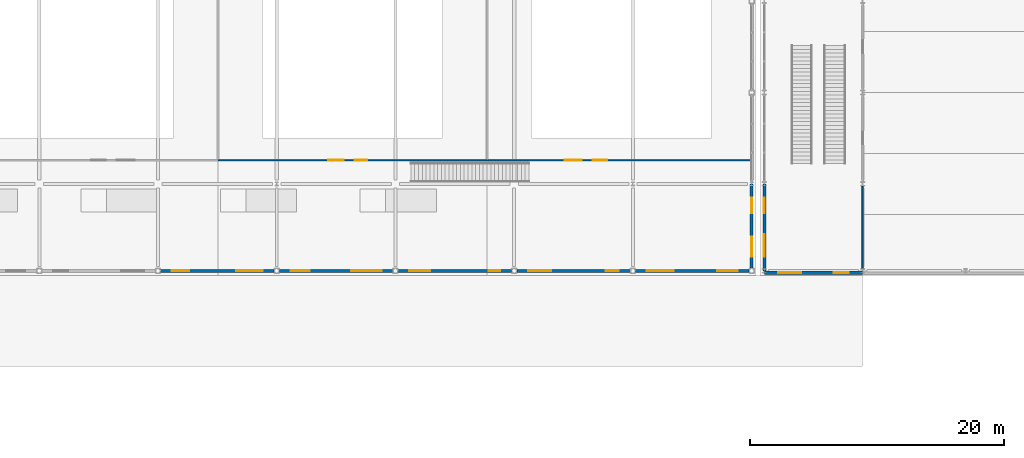
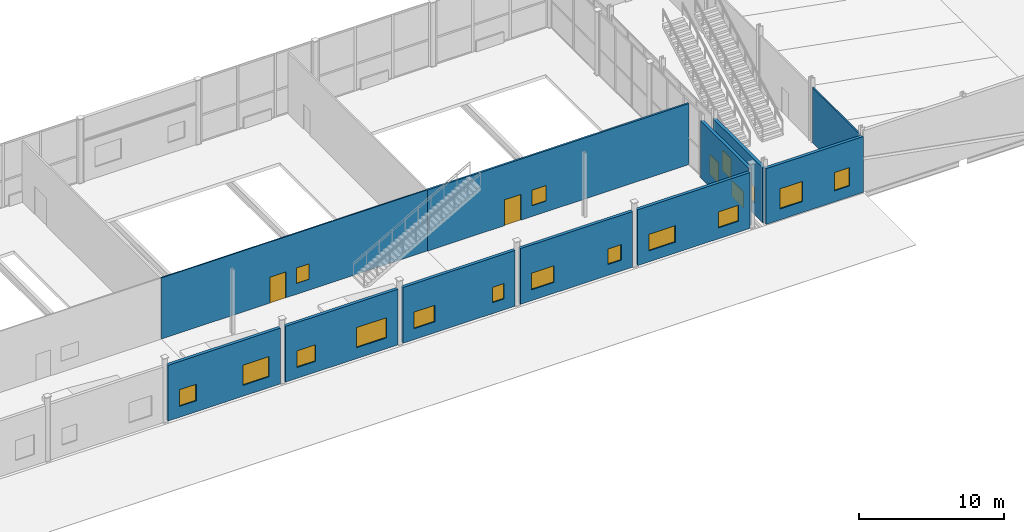
# One storey, part 69 of 83: 18 windows, 11 walls, 2 doors, 20 openings.
"""IFC4 building model written with IfcOpenShell, lengths in metres."""

from ifc_helpers import new_model, si_unit, direction, frame, frame_2d, origin, place, context, subcontext, project, spatial, rectangle, extrude, material, layer, layer_set, type_object, element, fill, save


model = new_model("IFC4")

# Units and contexts
model_context = context("Model", 3, precision=1e-05, world=origin(), true_north=direction((0.0, 1.0)))
body_context = subcontext(model_context, "Body", "Model", "MODEL_VIEW")
ifc_project = project(units=[si_unit("LENGTHUNIT", "METRE"), si_unit("AREAUNIT", "SQUARE_METRE"), si_unit("VOLUMEUNIT", "CUBIC_METRE"), si_unit("PLANEANGLEUNIT", "RADIAN"), si_unit("MASSUNIT", "GRAM", prefix="KILO")], contexts=[model_context])

# Site, building, storey
site_placement = place(None, origin())
site = spatial("IfcSite", under=ifc_project, at=site_placement, CompositionType="ELEMENT")
building_placement = place(site_placement, origin())
building = spatial("IfcBuilding", under=site, at=building_placement, Name="Quillay Park Conservatory", CompositionType="ELEMENT")
storey_placement = place(building_placement, origin())
storey = spatial("IfcBuildingStorey", under=building, at=storey_placement, Name="L00", CompositionType="ELEMENT", Elevation=0.0)

# Wall, openings, window, door
ifc_material_1 = material(Name="Steel-Stud Acoustic Gypsum Board Partition", Category="steel")
ifc_layer_1 = layer(ifc_material_1, 0.10009765625)
ifc_layer_set_1 = layer_set([ifc_layer_1], Name="ACOUSTIC GYPSUM PARTITION 100 (Steel-Stud Acoustic Gypsum Board Partition)")
wall_type_1 = type_object("IfcWallType", Name="ACOUSTIC GYPSUM PARTITION 100", PredefinedType="PARTITIONING", material=ifc_layer_set_1)
wall_1_placement = place(storey_placement, frame((72.800048828125, 94.260009765625, 0.0), z_axis=(0.0, 0.0, 1.0), x_axis=(1.0, 0.0, 0.0)))
wall_1 = element("IfcWall", 1, at=wall_1_placement, inside=storey, type_object=wall_type_1, Name="L00 Atacama Arid Biome Conservatory Promenade Wall", PredefinedType="PARTITIONING", context=body_context, shape_type="SweptSolid", body=[
    extrude(rectangle(XDim=21.199951171875, YDim=0.10009765625, at=frame_2d((10.60009765625, 0.0))), origin(), (0.0, 0.0, 1.0), 5.14990234375),
])
opening_1_placement = place(wall_1_placement, frame((8.679931640625, 0.0, 0.0)))
opening_1 = element("IfcOpeningElement", 2, at=opening_1_placement, cuts=wall_1, Name="Opening D-RM35", PredefinedType="OPENING", context=body_context, shape_type="SweptSolid", body=[
    extrude(rectangle(XDim=1.239990234375, YDim=2.179931640625, at=frame_2d((0.6201171875, 1.08984375))), frame((0.0, 0.050048828125, 0.0), z_axis=(0.0, -1.0, 0.0), x_axis=(1.0, 0.0, 0.0)), (0.0, 0.0, 1.0), 0.10009765625),
])
opening_2_placement = place(wall_1_placement, frame((10.77001953125, 0.0, 0.919921875)))
opening_2 = element("IfcOpeningElement", 3, at=opening_2_placement, cuts=wall_1, Name="Opening W-IN09", PredefinedType="OPENING", context=body_context, shape_type="SweptSolid", body=[
    extrude(rectangle(XDim=1.0, YDim=1.300048828125, at=frame_2d((0.5, 0.64990234375))), frame((0.0, 0.050048828125, 0.0), z_axis=(0.0, -1.0, 0.0), x_axis=(1.0, 0.0, 0.0)), (0.0, 0.0, 1.0), 0.10009765625),
])
ifc_material_2 = material(Name="Low-E Double Glazing (Laminated Tempered)", Category="glass")
window_type_1 = type_object("IfcWindowType", Name="OPERABLE VENT WINDOW 1000 X1300", PartitioningType="SINGLE_PANEL", PredefinedType="WINDOW", material=ifc_material_2)
window_1_placement = place(opening_2_placement, origin())
window_1 = element("IfcWindow", 4, at=window_1_placement, inside=storey, type_object=window_type_1, Name="L00 Laboratory Vision Panel 009", OverallHeight=1.300048828125, OverallWidth=1.0, PartitioningType="SINGLE_PANEL", PredefinedType="WINDOW", context=body_context, shape_type="SweptSolid", body=[
    extrude(rectangle(XDim=1.0, YDim=1.300048828125, at=frame_2d((0.5, 0.64990234375))), frame((0.0, 0.030029296875, 0.0), z_axis=(0.0, -1.0, 0.0), x_axis=(1.0, 0.0, 0.0)), (0.0, 0.0, 1.0), 0.06005859375),
])
fill(opening_2, window_1)
ifc_material_3 = material(Name="Thermally Broken Anodised Aluminium 6063-T6", Category="aluminium")
door_type_1 = type_object("IfcDoorType", Name="SINGLE SWING DOOR 1240 X2180", OperationType="NOTDEFINED", PredefinedType="DOOR", material=ifc_material_3)
door_1_placement = place(opening_1_placement, origin())
door_1 = element("IfcDoor", 5, at=door_1_placement, inside=storey, type_object=door_type_1, Name="L00 Door to Atacama Arid Biome Conservatory", OperationType="SINGLE_SWING_LEFT", OverallHeight=2.179931640625, OverallWidth=1.239990234375, PredefinedType="DOOR", context=body_context, shape_type="SweptSolid", body=[
    extrude(rectangle(XDim=1.239990234375, YDim=2.179931640625, at=frame_2d((0.6201171875, 1.08984375))), frame((0.0, 0.02490234375, 0.0), z_axis=(0.0, -1.0, 0.0), x_axis=(1.0, 0.0, 0.0)), (0.0, 0.0, 1.0), 0.050048828125),
])
fill(opening_1, door_1)

# Wall
ifc_material_4 = material(Name="Steel-Stud Acoustic Gypsum Board Partition", Category="steel")
ifc_layer_2 = layer(ifc_material_4, 0.114990234375)
ifc_layer_set_2 = layer_set([ifc_layer_2], Name="ACOUSTIC GYPSUM PARTITION 115 (Steel-Stud Acoustic Gypsum Board Partition)")
wall_type_2 = type_object("IfcWallType", Name="ACOUSTIC GYPSUM PARTITION 115", PredefinedType="PARTITIONING", material=ifc_layer_set_2)
wall_2_placement = place(storey_placement, frame((123.60009765625, 85.70654296875, 0.0), z_axis=(0.0, 0.0, 1.0), x_axis=(0.0, 1.0, 0.0)))
element("IfcWall", 6, at=wall_2_placement, inside=storey, type_object=wall_type_2, Name="L00 Auditorium Foyer Wall 85", PredefinedType="PARTITIONING", context=body_context, shape_type="SweptSolid", body=[
    extrude(rectangle(XDim=6.536865234375, YDim=0.114990234375, at=frame_2d((3.2685546875, 0.0))), origin(), (0.0, 0.0, 1.0), 4.64111328125),
])

# Wall, openings, window, door
ifc_material_5 = material(Name="Steel-Stud Acoustic Gypsum Board Partition", Category="steel")
ifc_layer_3 = layer(ifc_material_5, 0.14990234375)
ifc_layer_set_3 = layer_set([ifc_layer_3], Name="ACOUSTIC GYPSUM PARTITION 150 (Steel-Stud Acoustic Gypsum Board Partition)")
wall_type_3 = type_object("IfcWallType", Name="ACOUSTIC GYPSUM PARTITION 150", PredefinedType="PARTITIONING", material=ifc_layer_set_3)
wall_3_placement = place(storey_placement, frame((94.0, 94.260009765625, 0.0), z_axis=(0.0, 0.0, 1.0), x_axis=(1.0, 0.0, 0.0)))
wall_3 = element("IfcWall", 7, at=wall_3_placement, inside=storey, type_object=wall_type_3, Name="L00 High-Andean Alpine Glasshouse Promenade Wall", PredefinedType="PARTITIONING", context=body_context, shape_type="SweptSolid", body=[
    extrude(rectangle(XDim=20.85009765625, YDim=0.14990234375, at=frame_2d((10.425048828125, 0.0))), origin(), (0.0, 0.0, 1.0), 5.14990234375),
])
opening_3_placement = place(wall_3_placement, frame((6.139892578125, 0.0, 0.0)))
opening_3 = element("IfcOpeningElement", 8, at=opening_3_placement, cuts=wall_3, Name="Opening D-RM36", PredefinedType="OPENING", context=body_context, shape_type="SweptSolid", body=[
    extrude(rectangle(XDim=1.320068359375, YDim=2.179931640625, at=frame_2d((0.66015625, 1.08984375))), frame((0.0, 0.074951171875, 0.0), z_axis=(0.0, -1.0, 0.0), x_axis=(1.0, 0.0, 0.0)), (0.0, 0.0, 1.0), 0.14990234375),
])
opening_4_placement = place(wall_3_placement, frame((8.31005859375, 0.0, 0.919921875)))
opening_4 = element("IfcOpeningElement", 9, at=opening_4_placement, cuts=wall_3, Name="Opening W-IN10", PredefinedType="OPENING", context=body_context, shape_type="SweptSolid", body=[
    extrude(rectangle(XDim=1.14990234375, YDim=1.300048828125, at=frame_2d((0.574951171875, 0.64990234375))), frame((0.0, 0.074951171875, 0.0), z_axis=(0.0, -1.0, 0.0), x_axis=(1.0, 0.0, 0.0)), (0.0, 0.0, 1.0), 0.14990234375),
])
ifc_material_6 = material(Name="Low-E Double Glazing (Laminated Tempered)", Category="glass")
window_type_2 = type_object("IfcWindowType", Name="OPERABLE VENT WINDOW 1150 X1300", PartitioningType="SINGLE_PANEL", PredefinedType="WINDOW", material=ifc_material_6)
window_2_placement = place(opening_4_placement, origin())
window_2 = element("IfcWindow", 10, at=window_2_placement, inside=storey, type_object=window_type_2, Name="L00 Laboratory Vision Panel 010", OverallHeight=1.300048828125, OverallWidth=1.14990234375, PartitioningType="SINGLE_PANEL", PredefinedType="WINDOW", context=body_context, shape_type="SweptSolid", body=[
    extrude(rectangle(XDim=1.14990234375, YDim=1.300048828125, at=frame_2d((0.574951171875, 0.64990234375))), frame((0.0, 0.030029296875, 0.0), z_axis=(0.0, -1.0, 0.0), x_axis=(1.0, 0.0, 0.0)), (0.0, 0.0, 1.0), 0.06005859375),
])
fill(opening_4, window_2)
ifc_material_7 = material(Name="Thermally Broken Anodised Aluminium 6063-T6", Category="aluminium")
door_type_2 = type_object("IfcDoorType", Name="SINGLE SWING DOOR 1320 X2180", OperationType="NOTDEFINED", PredefinedType="DOOR", material=ifc_material_7)
door_2_placement = place(opening_3_placement, origin())
door_2 = element("IfcDoor", 11, at=door_2_placement, inside=storey, type_object=door_type_2, Name="L00 Door to High-Andean Alpine Glasshouse", OperationType="SINGLE_SWING_RIGHT", OverallHeight=2.179931640625, OverallWidth=1.320068359375, PredefinedType="DOOR", context=body_context, shape_type="SweptSolid", body=[
    extrude(rectangle(XDim=1.320068359375, YDim=2.179931640625, at=frame_2d((0.66015625, 1.08984375))), frame((0.0, 0.02490234375, 0.0), z_axis=(0.0, -1.0, 0.0), x_axis=(1.0, 0.0, 0.0)), (0.0, 0.0, 1.0), 0.050048828125),
])
fill(opening_3, door_2)

# Wall, openings, windows
ifc_material_8 = material(Name="Glass-Fibre Reinforced Concrete (GRC) Cladding", Category="concrete")
ifc_layer_4 = layer(ifc_material_8, 0.239990234375)
ifc_layer_set_4 = layer_set([ifc_layer_4], Name="EXTERIOR SOLID WALL 240 (Glass-Fibre Reinforced Concrete (GRC) Cladding)")
wall_type_4 = type_object("IfcWallType", Name="EXTERIOR SOLID WALL 240", PredefinedType="SOLIDWALL", material=ifc_layer_set_4)
wall_4_placement = place(storey_placement, frame((77.2265625, 85.550048828125, 0.0), z_axis=(0.0, 0.0, 1.0), x_axis=(-1.0, 0.0, 0.0)))
wall_4 = element("IfcWall", 12, at=wall_4_placement, inside=storey, type_object=wall_type_4, Name="L00 External Wall WL-EXT-V1S-L00-4", PredefinedType="SOLIDWALL", context=body_context, shape_type="SweptSolid", body=[
    extrude(rectangle(XDim=8.953125, YDim=0.239990234375, at=frame_2d((4.4765625, 0.0))), origin(), (0.0, 0.0, 1.0), 4.699951171875),
])
opening_5_placement = place(wall_4_placement, frame((0.898681640625, 0.0, 0.919921875)))
opening_5 = element("IfcOpeningElement", 13, at=opening_5_placement, cuts=wall_4, Name="Opening W-15", PredefinedType="OPENING", context=body_context, shape_type="SweptSolid", body=[
    extrude(rectangle(XDim=2.10009765625, YDim=1.699951171875, at=frame_2d((1.050048828125, 0.85009765625))), frame((0.0, 0.1201171875, 0.0), z_axis=(0.0, -1.0, 0.0), x_axis=(1.0, 0.0, 0.0)), (0.0, 0.0, 1.0), 0.239990234375),
])
opening_6_placement = place(wall_4_placement, frame((6.704345703125, 0.0, 0.919921875)))
opening_6 = element("IfcOpeningElement", 14, at=opening_6_placement, cuts=wall_4, Name="Opening W-02", PredefinedType="OPENING", context=body_context, shape_type="SweptSolid", body=[
    extrude(rectangle(XDim=1.35009765625, YDim=1.39990234375, at=frame_2d((0.675048828125, 0.699951171875))), frame((0.0, 0.1201171875, 0.0), z_axis=(0.0, -1.0, 0.0), x_axis=(1.0, 0.0, 0.0)), (0.0, 0.0, 1.0), 0.239990234375),
])
ifc_material_9 = material(Name="Low-E Double Glazing (Laminated Tempered)", Category="glass")
window_type_3 = type_object("IfcWindowType", Name="FIXED CASEMENT WINDOW 1350 X1400", PartitioningType="SINGLE_PANEL", PredefinedType="WINDOW", material=ifc_material_9)
window_3_placement = place(opening_6_placement, origin())
window_3 = element("IfcWindow", 15, at=window_3_placement, inside=storey, type_object=window_type_3, Name="L00 Exterior Window 0344", OverallHeight=1.39990234375, OverallWidth=1.35009765625, PartitioningType="SINGLE_PANEL", PredefinedType="WINDOW", context=body_context, shape_type="SweptSolid", body=[
    extrude(rectangle(XDim=1.35009765625, YDim=1.39990234375, at=frame_2d((0.675048828125, 0.699951171875))), frame((0.0, 0.030029296875, 0.0), z_axis=(0.0, -1.0, 0.0), x_axis=(1.0, 0.0, 0.0)), (0.0, 0.0, 1.0), 0.06005859375),
])
fill(opening_6, window_3)
ifc_material_10 = material(Name="Low-E Double Glazing (Laminated Tempered)", Category="glass")
window_type_4 = type_object("IfcWindowType", Name="FIXED CASEMENT WINDOW 2100 X1700", PartitioningType="DOUBLE_PANEL_VERTICAL", PredefinedType="WINDOW", material=ifc_material_10)
window_4_placement = place(opening_5_placement, origin())
window_4 = element("IfcWindow", 16, at=window_4_placement, inside=storey, type_object=window_type_4, Name="L00 Exterior Window 0343", OverallHeight=1.699951171875, OverallWidth=2.10009765625, PartitioningType="DOUBLE_PANEL_VERTICAL", PredefinedType="WINDOW", context=body_context, shape_type="SweptSolid", body=[
    extrude(rectangle(XDim=2.10009765625, YDim=1.699951171875, at=frame_2d((1.050048828125, 0.85009765625))), frame((0.0, 0.030029296875, 0.0), z_axis=(0.0, -1.0, 0.0), x_axis=(1.0, 0.0, 0.0)), (0.0, 0.0, 1.0), 0.06005859375),
])
fill(opening_5, window_4)

wall_5_placement = place(storey_placement, frame((86.58203125, 85.550048828125, 0.0), z_axis=(0.0, 0.0, 1.0), x_axis=(-1.0, 0.0, 0.0)))
wall_5 = element("IfcWall", 17, at=wall_5_placement, inside=storey, type_object=wall_type_4, Name="L00 External Wall WL-EXT-V1S-L00-5", PredefinedType="SOLIDWALL", context=body_context, shape_type="SweptSolid", body=[
    extrude(rectangle(XDim=8.953125, YDim=0.239990234375, at=frame_2d((4.4765625, 0.0))), origin(), (0.0, 0.0, 1.0), 4.699951171875),
])
opening_7_placement = place(wall_5_placement, frame((0.898681640625, 0.0, 0.919921875)))
opening_7 = element("IfcOpeningElement", 18, at=opening_7_placement, cuts=wall_5, Name="Opening W-16", PredefinedType="OPENING", context=body_context, shape_type="SweptSolid", body=[
    extrude(rectangle(XDim=2.39990234375, YDim=1.699951171875, at=frame_2d((1.199951171875, 0.85009765625))), frame((0.0, 0.1201171875, 0.0), z_axis=(0.0, -1.0, 0.0), x_axis=(1.0, 0.0, 0.0)), (0.0, 0.0, 1.0), 0.239990234375),
])
opening_8_placement = place(wall_5_placement, frame((6.55419921875, 0.0, 0.919921875)))
opening_8 = element("IfcOpeningElement", 19, at=opening_8_placement, cuts=wall_5, Name="Opening W-03", PredefinedType="OPENING", context=body_context, shape_type="SweptSolid", body=[
    extrude(rectangle(XDim=1.5, YDim=1.39990234375, at=frame_2d((0.75, 0.699951171875))), frame((0.0, 0.1201171875, 0.0), z_axis=(0.0, -1.0, 0.0), x_axis=(1.0, 0.0, 0.0)), (0.0, 0.0, 1.0), 0.239990234375),
])
ifc_material_11 = material(Name="Low-E Double Glazing (Laminated Tempered)", Category="glass")
window_type_5 = type_object("IfcWindowType", Name="FIXED CASEMENT WINDOW 1500 X1400", PartitioningType="SINGLE_PANEL", PredefinedType="WINDOW", material=ifc_material_11)
window_5_placement = place(opening_8_placement, origin())
window_5 = element("IfcWindow", 20, at=window_5_placement, inside=storey, type_object=window_type_5, Name="L00 Exterior Window 0346", OverallHeight=1.39990234375, OverallWidth=1.5, PartitioningType="SINGLE_PANEL", PredefinedType="WINDOW", context=body_context, shape_type="SweptSolid", body=[
    extrude(rectangle(XDim=1.5, YDim=1.39990234375, at=frame_2d((0.75, 0.699951171875))), frame((0.0, 0.030029296875, 0.0), z_axis=(0.0, -1.0, 0.0), x_axis=(1.0, 0.0, 0.0)), (0.0, 0.0, 1.0), 0.06005859375),
])
fill(opening_8, window_5)
ifc_material_12 = material(Name="Low-E Double Glazing (Laminated Tempered)", Category="glass")
window_type_6 = type_object("IfcWindowType", Name="FIXED CASEMENT WINDOW 2400 X1700", PartitioningType="DOUBLE_PANEL_VERTICAL", PredefinedType="WINDOW", material=ifc_material_12)
window_6_placement = place(opening_7_placement, origin())
window_6 = element("IfcWindow", 21, at=window_6_placement, inside=storey, type_object=window_type_6, Name="L00 Exterior Window 0345", OverallHeight=1.699951171875, OverallWidth=2.39990234375, PartitioningType="DOUBLE_PANEL_VERTICAL", PredefinedType="WINDOW", context=body_context, shape_type="SweptSolid", body=[
    extrude(rectangle(XDim=2.39990234375, YDim=1.699951171875, at=frame_2d((1.199951171875, 0.85009765625))), frame((0.0, 0.030029296875, 0.0), z_axis=(0.0, -1.0, 0.0), x_axis=(1.0, 0.0, 0.0)), (0.0, 0.0, 1.0), 0.06005859375),
])
fill(opening_7, window_6)

wall_6_placement = place(storey_placement, frame((95.937744140625, 85.550048828125, 0.0), z_axis=(0.0, 0.0, 1.0), x_axis=(-1.0, 0.0, 0.0)))
wall_6 = element("IfcWall", 22, at=wall_6_placement, inside=storey, type_object=wall_type_4, Name="L00 External Wall WL-EXT-V1S-L00-6", PredefinedType="SOLIDWALL", context=body_context, shape_type="SweptSolid", body=[
    extrude(rectangle(XDim=8.953125, YDim=0.239990234375, at=frame_2d((4.4765625, 0.0))), origin(), (0.0, 0.0, 1.0), 4.699951171875),
])
opening_9_placement = place(wall_6_placement, frame((0.898681640625, 0.0, 0.919921875)))
opening_9 = element("IfcOpeningElement", 23, at=opening_9_placement, cuts=wall_6, Name="Opening W-17", PredefinedType="OPENING", context=body_context, shape_type="SweptSolid", body=[
    extrude(rectangle(XDim=0.89990234375, YDim=1.300048828125, at=frame_2d((0.449951171875, 0.64990234375))), frame((0.0, 0.1201171875, 0.0), z_axis=(0.0, -1.0, 0.0), x_axis=(1.0, 0.0, 0.0)), (0.0, 0.0, 1.0), 0.239990234375),
])
opening_10_placement = place(wall_6_placement, frame((6.404296875, 0.0, 0.919921875)))
opening_10 = element("IfcOpeningElement", 24, at=opening_10_placement, cuts=wall_6, Name="Opening W-04", PredefinedType="OPENING", context=body_context, shape_type="SweptSolid", body=[
    extrude(rectangle(XDim=1.64990234375, YDim=1.39990234375, at=frame_2d((0.824951171875, 0.699951171875))), frame((0.0, 0.1201171875, 0.0), z_axis=(0.0, -1.0, 0.0), x_axis=(1.0, 0.0, 0.0)), (0.0, 0.0, 1.0), 0.239990234375),
])
ifc_material_13 = material(Name="Low-E Double Glazing (Laminated Tempered)", Category="glass")
window_type_7 = type_object("IfcWindowType", Name="FIXED CASEMENT WINDOW 1650 X1400", PartitioningType="DOUBLE_PANEL_VERTICAL", PredefinedType="WINDOW", material=ifc_material_13)
window_7_placement = place(opening_10_placement, origin())
window_7 = element("IfcWindow", 25, at=window_7_placement, inside=storey, type_object=window_type_7, Name="L00 Exterior Window 0348", OverallHeight=1.39990234375, OverallWidth=1.64990234375, PartitioningType="DOUBLE_PANEL_VERTICAL", PredefinedType="WINDOW", context=body_context, shape_type="SweptSolid", body=[
    extrude(rectangle(XDim=1.64990234375, YDim=1.39990234375, at=frame_2d((0.824951171875, 0.699951171875))), frame((0.0, 0.030029296875, 0.0), z_axis=(0.0, -1.0, 0.0), x_axis=(1.0, 0.0, 0.0)), (0.0, 0.0, 1.0), 0.06005859375),
])
fill(opening_10, window_7)
ifc_material_14 = material(Name="Low-E Double Glazing (Laminated Tempered)", Category="glass")
window_type_8 = type_object("IfcWindowType", Name="FIXED CASEMENT WINDOW 900 X1300", PartitioningType="SINGLE_PANEL", PredefinedType="WINDOW", material=ifc_material_14)
window_8_placement = place(opening_9_placement, origin())
window_8 = element("IfcWindow", 26, at=window_8_placement, inside=storey, type_object=window_type_8, Name="L00 Exterior Window 0347", OverallHeight=1.300048828125, OverallWidth=0.89990234375, PartitioningType="SINGLE_PANEL", PredefinedType="WINDOW", context=body_context, shape_type="SweptSolid", body=[
    extrude(rectangle(XDim=0.89990234375, YDim=1.300048828125, at=frame_2d((0.449951171875, 0.64990234375))), frame((0.0, 0.030029296875, 0.0), z_axis=(0.0, -1.0, 0.0), x_axis=(1.0, 0.0, 0.0)), (0.0, 0.0, 1.0), 0.06005859375),
])
fill(opening_9, window_8)

wall_7_placement = place(storey_placement, frame((105.293212890625, 85.550048828125, 0.0), z_axis=(0.0, 0.0, 1.0), x_axis=(-1.0, 0.0, 0.0)))
wall_7 = element("IfcWall", 27, at=wall_7_placement, inside=storey, type_object=wall_type_4, Name="L00 External Wall WL-EXT-V1S-L00-7", PredefinedType="SOLIDWALL", context=body_context, shape_type="SweptSolid", body=[
    extrude(rectangle(XDim=8.953125, YDim=0.239990234375, at=frame_2d((4.4765625, 0.0))), origin(), (0.0, 0.0, 1.0), 4.699951171875),
])
opening_11_placement = place(wall_7_placement, frame((0.898681640625, 0.0, 0.919921875)))
opening_11 = element("IfcOpeningElement", 28, at=opening_11_placement, cuts=wall_7, Name="Opening W-18", PredefinedType="OPENING", context=body_context, shape_type="SweptSolid", body=[
    extrude(rectangle(XDim=1.050048828125, YDim=1.300048828125, at=frame_2d((0.52490234375, 0.64990234375))), frame((0.0, 0.1201171875, 0.0), z_axis=(0.0, -1.0, 0.0), x_axis=(1.0, 0.0, 0.0)), (0.0, 0.0, 1.0), 0.239990234375),
])
opening_12_placement = place(wall_7_placement, frame((6.25439453125, 0.0, 0.919921875)))
opening_12 = element("IfcOpeningElement", 29, at=opening_12_placement, cuts=wall_7, Name="Opening W-05", PredefinedType="OPENING", context=body_context, shape_type="SweptSolid", body=[
    extrude(rectangle(XDim=1.800048828125, YDim=1.39990234375, at=frame_2d((0.89990234375, 0.699951171875))), frame((0.0, 0.1201171875, 0.0), z_axis=(0.0, -1.0, 0.0), x_axis=(1.0, 0.0, 0.0)), (0.0, 0.0, 1.0), 0.239990234375),
])
ifc_material_15 = material(Name="Low-E Double Glazing (Laminated Tempered)", Category="glass")
window_type_9 = type_object("IfcWindowType", Name="FIXED CASEMENT WINDOW 1050 X1300", PartitioningType="SINGLE_PANEL", PredefinedType="WINDOW", material=ifc_material_15)
window_9_placement = place(opening_11_placement, origin())
window_9 = element("IfcWindow", 30, at=window_9_placement, inside=storey, type_object=window_type_9, Name="L00 Exterior Window 0349", OverallHeight=1.300048828125, OverallWidth=1.050048828125, PartitioningType="SINGLE_PANEL", PredefinedType="WINDOW", context=body_context, shape_type="SweptSolid", body=[
    extrude(rectangle(XDim=1.050048828125, YDim=1.300048828125, at=frame_2d((0.52490234375, 0.64990234375))), frame((0.0, 0.030029296875, 0.0), z_axis=(0.0, -1.0, 0.0), x_axis=(1.0, 0.0, 0.0)), (0.0, 0.0, 1.0), 0.06005859375),
])
fill(opening_11, window_9)
ifc_material_16 = material(Name="Low-E Double Glazing (Laminated Tempered)", Category="glass")
window_type_10 = type_object("IfcWindowType", Name="FIXED CASEMENT WINDOW 1800 X1400", PartitioningType="DOUBLE_PANEL_VERTICAL", PredefinedType="WINDOW", material=ifc_material_16)
window_10_placement = place(opening_12_placement, origin())
window_10 = element("IfcWindow", 31, at=window_10_placement, inside=storey, type_object=window_type_10, Name="L00 Exterior Window 0350", OverallHeight=1.39990234375, OverallWidth=1.800048828125, PartitioningType="DOUBLE_PANEL_VERTICAL", PredefinedType="WINDOW", context=body_context, shape_type="SweptSolid", body=[
    extrude(rectangle(XDim=1.800048828125, YDim=1.39990234375, at=frame_2d((0.89990234375, 0.699951171875))), frame((0.0, 0.030029296875, 0.0), z_axis=(0.0, -1.0, 0.0), x_axis=(1.0, 0.0, 0.0)), (0.0, 0.0, 1.0), 0.06005859375),
])
fill(opening_12, window_10)

wall_8_placement = place(storey_placement, frame((114.648681640625, 85.550048828125, 0.0), z_axis=(0.0, 0.0, 1.0), x_axis=(-1.0, 0.0, 0.0)))
wall_8 = element("IfcWall", 32, at=wall_8_placement, inside=storey, type_object=wall_type_4, Name="L00 External Wall WL-EXT-V1S-L00-8", PredefinedType="SOLIDWALL", context=body_context, shape_type="SweptSolid", body=[
    extrude(rectangle(XDim=8.953125, YDim=0.239990234375, at=frame_2d((4.4765625, 0.0))), origin(), (0.0, 0.0, 1.0), 4.699951171875),
])
opening_13_placement = place(wall_8_placement, frame((0.898681640625, 0.0, 0.919921875)))
opening_13 = element("IfcOpeningElement", 33, at=opening_13_placement, cuts=wall_8, Name="Opening W-19", PredefinedType="OPENING", context=body_context, shape_type="SweptSolid", body=[
    extrude(rectangle(XDim=1.60009765625, YDim=1.35009765625, at=frame_2d((0.800048828125, 0.675048828125))), frame((0.0, 0.1201171875, 0.0), z_axis=(0.0, -1.0, 0.0), x_axis=(1.0, 0.0, 0.0)), (0.0, 0.0, 1.0), 0.239990234375),
])
opening_14_placement = place(wall_8_placement, frame((5.954345703125, 0.0, 0.919921875)))
opening_14 = element("IfcOpeningElement", 34, at=opening_14_placement, cuts=wall_8, Name="Opening W-06", PredefinedType="OPENING", context=body_context, shape_type="SweptSolid", body=[
    extrude(rectangle(XDim=2.10009765625, YDim=1.39990234375, at=frame_2d((1.050048828125, 0.699951171875))), frame((0.0, 0.1201171875, 0.0), z_axis=(0.0, -1.0, 0.0), x_axis=(1.0, 0.0, 0.0)), (0.0, 0.0, 1.0), 0.239990234375),
])
ifc_material_17 = material(Name="Low-E Double Glazing (Laminated Tempered)", Category="glass")
window_type_11 = type_object("IfcWindowType", Name="FIXED CASEMENT WINDOW 1600 X1350", PartitioningType="DOUBLE_PANEL_VERTICAL", PredefinedType="WINDOW", material=ifc_material_17)
window_11_placement = place(opening_13_placement, origin())
window_11 = element("IfcWindow", 35, at=window_11_placement, inside=storey, type_object=window_type_11, Name="L00 Exterior Window 0351", OverallHeight=1.35009765625, OverallWidth=1.60009765625, PartitioningType="DOUBLE_PANEL_VERTICAL", PredefinedType="WINDOW", context=body_context, shape_type="SweptSolid", body=[
    extrude(rectangle(XDim=1.60009765625, YDim=1.35009765625, at=frame_2d((0.800048828125, 0.675048828125))), frame((0.0, 0.030029296875, 0.0), z_axis=(0.0, -1.0, 0.0), x_axis=(1.0, 0.0, 0.0)), (0.0, 0.0, 1.0), 0.06005859375),
])
fill(opening_13, window_11)
ifc_material_18 = material(Name="Low-E Double Glazing (Laminated Tempered)", Category="glass")
window_type_12 = type_object("IfcWindowType", Name="FIXED CASEMENT WINDOW 2100 X1400", PartitioningType="DOUBLE_PANEL_VERTICAL", PredefinedType="WINDOW", material=ifc_material_18)
window_12_placement = place(opening_14_placement, origin())
window_12 = element("IfcWindow", 36, at=window_12_placement, inside=storey, type_object=window_type_12, Name="L00 Exterior Window 0352", OverallHeight=1.39990234375, OverallWidth=2.10009765625, PartitioningType="DOUBLE_PANEL_VERTICAL", PredefinedType="WINDOW", context=body_context, shape_type="SweptSolid", body=[
    extrude(rectangle(XDim=2.10009765625, YDim=1.39990234375, at=frame_2d((1.050048828125, 0.699951171875))), frame((0.0, 0.030029296875, 0.0), z_axis=(0.0, -1.0, 0.0), x_axis=(1.0, 0.0, 0.0)), (0.0, 0.0, 1.0), 0.06005859375),
])
fill(opening_14, window_12)

wall_9_placement = place(storey_placement, frame((114.85009765625, 92.39990234375, 0.0), z_axis=(0.0, 0.0, 1.0), x_axis=(0.0, -1.0, 0.0)))
wall_9 = element("IfcWall", 37, at=wall_9_placement, inside=storey, type_object=wall_type_4, Name="L00 External Wall WL-EXT-V1E-L00", PredefinedType="SOLIDWALL", context=body_context, shape_type="SweptSolid", body=[
    extrude(rectangle(XDim=6.648681640625, YDim=0.239990234375, at=frame_2d((3.32421875, 0.0))), origin(), (0.0, 0.0, 1.0), 4.822021484375),
])
opening_15_placement = place(wall_9_placement, frame((1.10009765625, 0.0, 0.919921875)))
opening_15 = element("IfcOpeningElement", 38, at=opening_15_placement, cuts=wall_9, Name="Opening W-12", PredefinedType="OPENING", context=body_context, shape_type="SweptSolid", body=[
    extrude(rectangle(XDim=1.199951171875, YDim=1.699951171875, at=frame_2d((0.60009765625, 0.85009765625))), frame((0.0, 0.1201171875, 0.0), z_axis=(0.0, -1.0, 0.0), x_axis=(1.0, 0.0, 0.0)), (0.0, 0.0, 1.0), 0.239990234375),
])
opening_16_placement = place(wall_9_placement, frame((4.14990234375, 0.0, 0.919921875)))
opening_16 = element("IfcOpeningElement", 39, at=opening_16_placement, cuts=wall_9, Name="Opening W-19", PredefinedType="OPENING", context=body_context, shape_type="SweptSolid", body=[
    extrude(rectangle(XDim=1.60009765625, YDim=1.35009765625, at=frame_2d((0.800048828125, 0.675048828125))), frame((0.0, 0.1201171875, 0.0), z_axis=(0.0, -1.0, 0.0), x_axis=(1.0, 0.0, 0.0)), (0.0, 0.0, 1.0), 0.239990234375),
])
ifc_material_19 = material(Name="Low-E Double Glazing (Laminated Tempered)", Category="glass")
window_type_13 = type_object("IfcWindowType", Name="FIXED CASEMENT WINDOW 1200 X1700", PartitioningType="SINGLE_PANEL", PredefinedType="WINDOW", material=ifc_material_19)
window_13_placement = place(opening_15_placement, origin())
window_13 = element("IfcWindow", 40, at=window_13_placement, inside=storey, type_object=window_type_13, Name="L00 Exterior Window 0373", OverallHeight=1.699951171875, OverallWidth=1.199951171875, PartitioningType="SINGLE_PANEL", PredefinedType="WINDOW", context=body_context, shape_type="SweptSolid", body=[
    extrude(rectangle(XDim=1.199951171875, YDim=1.699951171875, at=frame_2d((0.60009765625, 0.85009765625))), frame((0.0, 0.030029296875, 0.0), z_axis=(0.0, -1.0, 0.0), x_axis=(1.0, 0.0, 0.0)), (0.0, 0.0, 1.0), 0.06005859375),
])
fill(opening_15, window_13)
window_14_placement = place(opening_16_placement, origin())
window_14 = element("IfcWindow", 41, at=window_14_placement, inside=storey, type_object=window_type_11, Name="L00 Exterior Window 0374", OverallHeight=1.35009765625, OverallWidth=1.60009765625, PartitioningType="DOUBLE_PANEL_VERTICAL", PredefinedType="WINDOW", context=body_context, shape_type="SweptSolid", body=[
    extrude(rectangle(XDim=1.60009765625, YDim=1.35009765625, at=frame_2d((0.800048828125, 0.675048828125))), frame((0.0, 0.030029296875, 0.0), z_axis=(0.0, -1.0, 0.0), x_axis=(1.0, 0.0, 0.0)), (0.0, 0.0, 1.0), 0.06005859375),
])
fill(opening_16, window_14)

wall_10_placement = place(storey_placement, frame((115.85009765625, 85.550048828125, 0.0), z_axis=(0.0, 0.0, 1.0), x_axis=(0.0, 1.0, 0.0)))
wall_10 = element("IfcWall", 42, at=wall_10_placement, inside=storey, type_object=wall_type_4, Name="L00 External Wall WL-EXT-V2W-L00", PredefinedType="SOLIDWALL", context=body_context, shape_type="SweptSolid", body=[
    extrude(rectangle(XDim=6.849853515625, YDim=0.239990234375, at=frame_2d((3.4248046875, 0.0))), origin(), (0.0, 0.0, 1.0), 4.64111328125),
])
opening_17_placement = place(wall_10_placement, frame((1.10009765625, 0.0, 0.919921875)))
opening_17 = element("IfcOpeningElement", 43, at=opening_17_placement, cuts=wall_10, Name="Opening W-05", PredefinedType="OPENING", context=body_context, shape_type="SweptSolid", body=[
    extrude(rectangle(XDim=1.800048828125, YDim=1.39990234375, at=frame_2d((0.89990234375, 0.699951171875))), frame((0.0, 0.1201171875, 0.0), z_axis=(0.0, -1.0, 0.0), x_axis=(1.0, 0.0, 0.0)), (0.0, 0.0, 1.0), 0.239990234375),
])
opening_18_placement = place(wall_10_placement, frame((4.550048828125, 0.0, 0.919921875)))
opening_18 = element("IfcOpeningElement", 44, at=opening_18_placement, cuts=wall_10, Name="Opening W-12", PredefinedType="OPENING", context=body_context, shape_type="SweptSolid", body=[
    extrude(rectangle(XDim=1.199951171875, YDim=1.699951171875, at=frame_2d((0.60009765625, 0.85009765625))), frame((0.0, 0.1201171875, 0.0), z_axis=(0.0, -1.0, 0.0), x_axis=(1.0, 0.0, 0.0)), (0.0, 0.0, 1.0), 0.239990234375),
])
window_15_placement = place(opening_18_placement, origin())
window_15 = element("IfcWindow", 45, at=window_15_placement, inside=storey, type_object=window_type_13, Name="L00 Exterior Window 0376", OverallHeight=1.699951171875, OverallWidth=1.199951171875, PartitioningType="SINGLE_PANEL", PredefinedType="WINDOW", context=body_context, shape_type="SweptSolid", body=[
    extrude(rectangle(XDim=1.199951171875, YDim=1.699951171875, at=frame_2d((0.60009765625, 0.85009765625))), frame((0.0, 0.030029296875, 0.0), z_axis=(0.0, -1.0, 0.0), x_axis=(1.0, 0.0, 0.0)), (0.0, 0.0, 1.0), 0.06005859375),
])
fill(opening_18, window_15)
window_16_placement = place(opening_17_placement, origin())
window_16 = element("IfcWindow", 46, at=window_16_placement, inside=storey, type_object=window_type_10, Name="L00 Exterior Window 0375", OverallHeight=1.39990234375, OverallWidth=1.800048828125, PartitioningType="DOUBLE_PANEL_VERTICAL", PredefinedType="WINDOW", context=body_context, shape_type="SweptSolid", body=[
    extrude(rectangle(XDim=1.800048828125, YDim=1.39990234375, at=frame_2d((0.89990234375, 0.699951171875))), frame((0.0, 0.030029296875, 0.0), z_axis=(0.0, -1.0, 0.0), x_axis=(1.0, 0.0, 0.0)), (0.0, 0.0, 1.0), 0.06005859375),
])
fill(opening_17, window_16)

wall_11_placement = place(storey_placement, frame((123.60009765625, 85.39990234375, 0.0), z_axis=(0.0, 0.0, 1.0), x_axis=(-1.0, 0.0, 0.0)))
wall_11 = element("IfcWall", 47, at=wall_11_placement, inside=storey, type_object=wall_type_4, Name="L00 External Wall WL-EXT-V2FS-L00", PredefinedType="SOLIDWALL", context=body_context, shape_type="SweptSolid", body=[
    extrude(rectangle(XDim=7.75, YDim=0.239990234375, at=frame_2d((3.875, 0.0))), origin(), (0.0, 0.0, 1.0), 4.699951171875),
])
opening_19_placement = place(wall_11_placement, frame((1.10009765625, 0.0, 0.919921875)))
opening_19 = element("IfcOpeningElement", 48, at=opening_19_placement, cuts=wall_11, Name="Opening W-07", PredefinedType="OPENING", context=body_context, shape_type="SweptSolid", body=[
    extrude(rectangle(XDim=1.199951171875, YDim=1.550048828125, at=frame_2d((0.60009765625, 0.77490234375))), frame((0.0, 0.1201171875, 0.0), z_axis=(0.0, -1.0, 0.0), x_axis=(1.0, 0.0, 0.0)), (0.0, 0.0, 1.0), 0.239990234375),
])
opening_20_placement = place(wall_11_placement, frame((4.85009765625, 0.0, 0.919921875)))
opening_20 = element("IfcOpeningElement", 49, at=opening_20_placement, cuts=wall_11, Name="Opening W-14", PredefinedType="OPENING", context=body_context, shape_type="SweptSolid", body=[
    extrude(rectangle(XDim=1.800048828125, YDim=1.699951171875, at=frame_2d((0.89990234375, 0.85009765625))), frame((0.0, 0.1201171875, 0.0), z_axis=(0.0, -1.0, 0.0), x_axis=(1.0, 0.0, 0.0)), (0.0, 0.0, 1.0), 0.239990234375),
])
ifc_material_20 = material(Name="Low-E Double Glazing (Laminated Tempered)", Category="glass")
window_type_14 = type_object("IfcWindowType", Name="FIXED CASEMENT WINDOW 1200 X1550", PartitioningType="SINGLE_PANEL", PredefinedType="WINDOW", material=ifc_material_20)
window_17_placement = place(opening_19_placement, origin())
window_17 = element("IfcWindow", 50, at=window_17_placement, inside=storey, type_object=window_type_14, Name="L00 Exterior Window 0393", OverallHeight=1.550048828125, OverallWidth=1.199951171875, PartitioningType="SINGLE_PANEL", PredefinedType="WINDOW", context=body_context, shape_type="SweptSolid", body=[
    extrude(rectangle(XDim=1.199951171875, YDim=1.550048828125, at=frame_2d((0.60009765625, 0.77490234375))), frame((0.0, 0.030029296875, 0.0), z_axis=(0.0, -1.0, 0.0), x_axis=(1.0, 0.0, 0.0)), (0.0, 0.0, 1.0), 0.06005859375),
])
fill(opening_19, window_17)
ifc_material_21 = material(Name="Low-E Double Glazing (Laminated Tempered)", Category="glass")
window_type_15 = type_object("IfcWindowType", Name="FIXED CASEMENT WINDOW 1800 X1700", PartitioningType="DOUBLE_PANEL_VERTICAL", PredefinedType="WINDOW", material=ifc_material_21)
window_18_placement = place(opening_20_placement, origin())
window_18 = element("IfcWindow", 51, at=window_18_placement, inside=storey, type_object=window_type_15, Name="L00 Exterior Window 0394", OverallHeight=1.699951171875, OverallWidth=1.800048828125, PartitioningType="DOUBLE_PANEL_VERTICAL", PredefinedType="WINDOW", context=body_context, shape_type="SweptSolid", body=[
    extrude(rectangle(XDim=1.800048828125, YDim=1.699951171875, at=frame_2d((0.89990234375, 0.85009765625))), frame((0.0, 0.030029296875, 0.0), z_axis=(0.0, -1.0, 0.0), x_axis=(1.0, 0.0, 0.0)), (0.0, 0.0, 1.0), 0.06005859375),
])
fill(opening_20, window_18)

save(model, "model.ifc")
